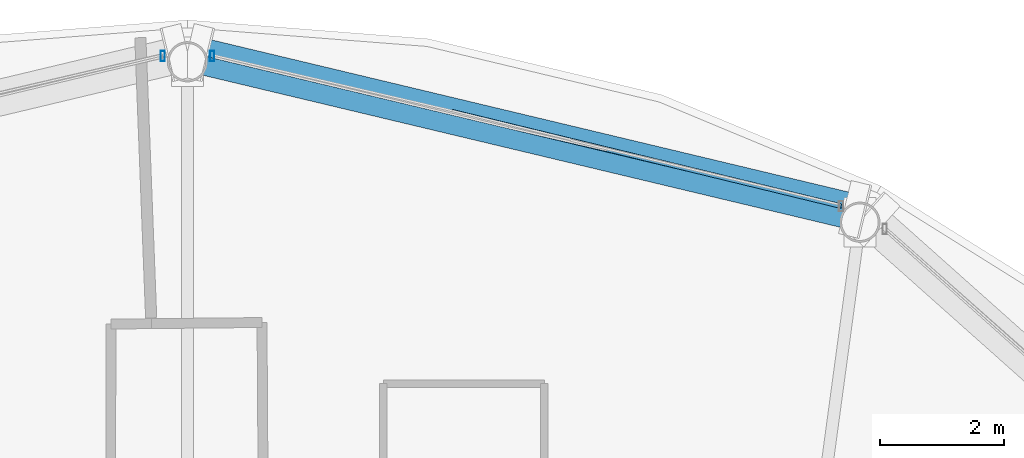
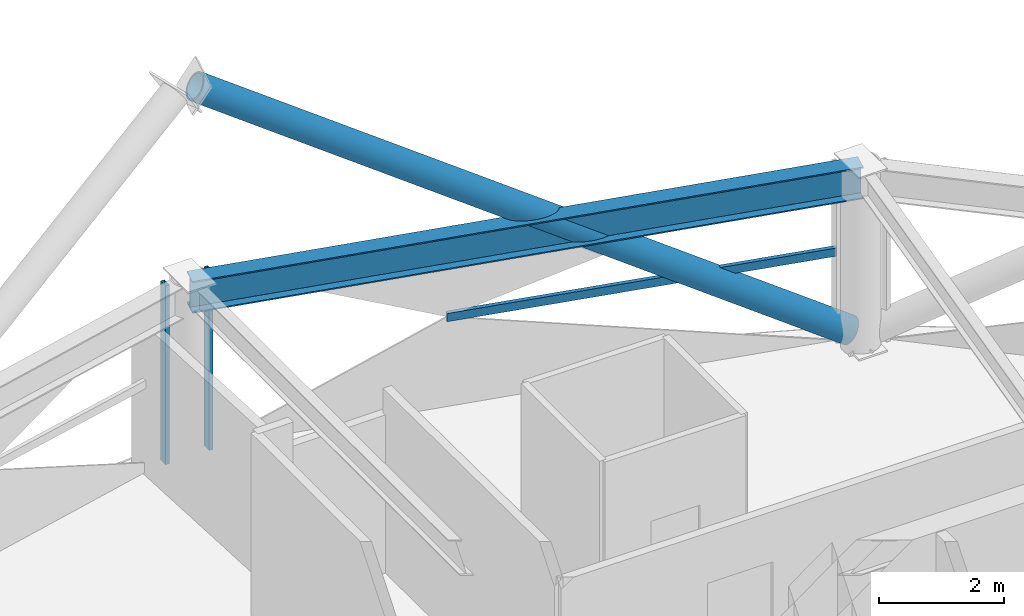
# One storey, part 18 of 28: 4 members, 1 beam, 2 elements without a shape of their own.
"""IFC4 building model written with IfcOpenShell, lengths in metres."""

from ifc_helpers import new_model, si_unit, direction, frame, origin, origin_2d, place, context, subcontext, project, spatial, hollow_rectangle, hollow_circle, i_section, extrude, material, layer, layer_set, material_profile, profile_set, type_object, element, aggregate, save


model = new_model("IFC4")

# Units and contexts
model_context = context("Model", 3, precision=1e-05, world=origin(), true_north=direction((0.0, 1.0)))
body_context = subcontext(model_context, "Body", "Model", "MODEL_VIEW")
ifc_project = project(units=[si_unit("LENGTHUNIT", "METRE"), si_unit("AREAUNIT", "SQUARE_METRE"), si_unit("VOLUMEUNIT", "CUBIC_METRE"), si_unit("PLANEANGLEUNIT", "RADIAN"), si_unit("MASSUNIT", "GRAM", prefix="KILO")], contexts=[model_context])

# Site, building, storey
site_placement = place(None, origin())
site = spatial("IfcSite", under=ifc_project, at=site_placement, CompositionType="ELEMENT")
building_placement = place(site_placement, origin())
building = spatial("IfcBuilding", under=site, at=building_placement, Name="Vantalir Tower", CompositionType="ELEMENT")
storey_placement = place(building_placement, frame((0.0, 0.0, 242.39990234375)))
storey = spatial("IfcBuildingStorey", under=building, at=storey_placement, Name="L61", CompositionType="ELEMENT", Elevation=242.39990234375)

# Beam
ifc_material_1 = material(Name="Steel S460", Category="steel")
ifc_material_profile_1 = material_profile(ifc_material_1, i_section(OverallWidth=0.306884765625, OverallDepth=0.6201171875, WebThickness=0.01416015625, FlangeThickness=0.023681640625, at=origin_2d()), Name="Steel S460")
ifc_profile_set_1 = profile_set([ifc_material_profile_1], Name="Steel S460")
beam_type = type_object("IfcBeamType", Name="BM-RG-610x305", PredefinedType="USERDEFINED", material=ifc_profile_set_1)
beam_placement = place(storey_placement, frame((42.35888671875, 41.742919921875, 3.260009765625), z_axis=(-0.97271250926, 0.23201373737, 0.0), x_axis=(-0.23201373737, -0.97271250926, 0.0)))
element("IfcBeam", 1, at=beam_placement, inside=storey, type_object=beam_type, Name="L61 Circumferential Ring Girder 03", ObjectType="GIRDER", PredefinedType="USERDEFINED", context=body_context, shape_type="SweptSolid", body=[
    extrude(i_section(OverallWidth=0.306884765625, OverallDepth=0.6201171875, WebThickness=0.01416015625, FlangeThickness=0.023681640625, at=origin_2d()), origin(), (0.0, 0.0, 1.0), 11.16357421875),
])

# Curtain wall, member
ifc_material_2 = material(Name="Champagne-silver PVDF aluminium and double-silver Low-E glass", Category="aluminium")
ifc_layer = layer(ifc_material_2, 0.2099609375)
ifc_layer_set = layer_set([ifc_layer], Name="Champagne-silver PVDF aluminium and double-silver Low-E glass")
curtain_wall_type = type_object("IfcCurtainWallType", Name="CW-DIAMOND-Z3", PredefinedType="USERDEFINED", material=ifc_layer_set)
curtain_wall_1_placement = place(storey_placement, origin())
curtain_wall_1 = element("IfcCurtainWall", 2, at=curtain_wall_1_placement, inside=storey, type_object=curtain_wall_type, Name="L61 Quilted Pyramid-Diamond Curtain Wall S03", ObjectType="UNITISED CURTAIN WALL", PredefinedType="USERDEFINED")
ifc_material_3 = material(Name="Champagne-silver PVDF aluminium 6063-T6", Category="aluminium")
ifc_material_profile_2 = material_profile(ifc_material_3, hollow_rectangle(XDim=0.070068359375, YDim=0.1650390625, WallThickness=0.00390625, at=origin_2d()), Name="Champagne-silver PVDF aluminium 6063-T6")
ifc_profile_set_2 = profile_set([ifc_material_profile_2], Name="Champagne-silver PVDF aluminium 6063-T6")
member_type_1 = type_object("IfcMemberType", Name="CWM-165x70", PredefinedType="MULLION", material=ifc_profile_set_2)
member_1_placement = place(storey_placement, frame((31.89892578125, 44.427978515625, 0.045166015625), z_axis=(0.0, 0.0, 1.0), x_axis=(1.0, 0.0, 0.0)))
member_1 = element("IfcMember", 3, at=member_1_placement, type_object=member_type_1, Name="CW-L61-S03 Mullion 2", PredefinedType="MULLION", context=body_context, shape_type="SweptSolid", body=[
    extrude(hollow_rectangle(XDim=0.070068359375, YDim=0.1650390625, WallThickness=0.00390625, at=origin_2d()), origin(), (0.0, 0.0, 1.0), 3.47998046875),
])

curtain_wall_2_placement = place(storey_placement, origin())
curtain_wall_2 = element("IfcCurtainWall", 4, at=curtain_wall_2_placement, inside=storey, type_object=curtain_wall_type, Name="L61 Quilted Pyramid-Diamond Curtain Wall S04", ObjectType="UNITISED CURTAIN WALL", PredefinedType="USERDEFINED")
member_2_placement = place(storey_placement, frame((31.10107421875, 44.427978515625, 0.045166015625), z_axis=(0.0, 0.0, 1.0), x_axis=(1.0, 0.0, 0.0)))
member_2 = element("IfcMember", 5, at=member_2_placement, type_object=member_type_1, Name="CW-L61-S04 Mullion 1", PredefinedType="MULLION", context=body_context, shape_type="SweptSolid", body=[
    extrude(hollow_rectangle(XDim=0.070068359375, YDim=0.1650390625, WallThickness=0.00390625, at=origin_2d()), origin(), (0.0, 0.0, 1.0), 3.47998046875),
])
aggregate(curtain_wall_2, [member_2])

# Member
ifc_material_profile_3 = material_profile(ifc_material_3, hollow_rectangle(XDim=0.074951171875, YDim=0.159912109375, WallThickness=0.00390625, at=origin_2d()), Name="Champagne-silver PVDF aluminium 6063-T6")
ifc_profile_set_3 = profile_set([ifc_material_profile_3], Name="Champagne-silver PVDF aluminium 6063-T6")
member_type_2 = type_object("IfcMemberType", Name="CWT-160x75", PredefinedType="USERDEFINED", material=ifc_profile_set_3)
member_3_placement = place(storey_placement, frame((42.054931640625, 42.001953125, 1.78515625), z_axis=(-0.971779150142, 0.235892524998, 0.0), x_axis=(-0.235892524998, -0.971779150142, 0.0)))
member_3 = element("IfcMember", 6, at=member_3_placement, type_object=member_type_2, Name="CW-L61-S03 Pyramid Fold Ridge Transom", ObjectType="TRANSOM", PredefinedType="USERDEFINED", context=body_context, shape_type="SweptSolid", body=[
    extrude(hollow_rectangle(XDim=0.074951171875, YDim=0.159912109375, WallThickness=0.00390625, at=origin_2d()), origin(), (0.0, 0.0, 1.0), 6.4736328125),
])

aggregate(curtain_wall_1, [member_1, member_3])

ifc_material_profile_4 = material_profile(ifc_material_1, hollow_circle(Radius=0.25, WallThickness=0.031982421875, at=origin_2d()), Name="Steel S460")
ifc_profile_set_4 = profile_set([ifc_material_profile_4], Name="Steel S460")
member_type_3 = type_object("IfcMemberType", Name="MEM-DB-500x32", PredefinedType="BRACE", material=ifc_profile_set_4)
member_4_placement = place(storey_placement, frame((42.27294921875, 41.949951171875, 0.197998046875), z_axis=(-0.820779852359, 0.196052589835, 0.536548055612), x_axis=(-0.232325647217, -0.972638058913, 0.0)))
element("IfcMember", 7, at=member_4_placement, inside=storey, type_object=member_type_3, Name="L61 Perimeter S460 Diagrid Brace R07L", PredefinedType="BRACE", context=body_context, shape_type="SweptSolid", body=[
    extrude(hollow_circle(Radius=0.25, WallThickness=0.031982421875, at=origin_2d()), origin(), (0.0, 0.0, 1.0), 12.90478515625),
])

save(model, "model.ifc")
